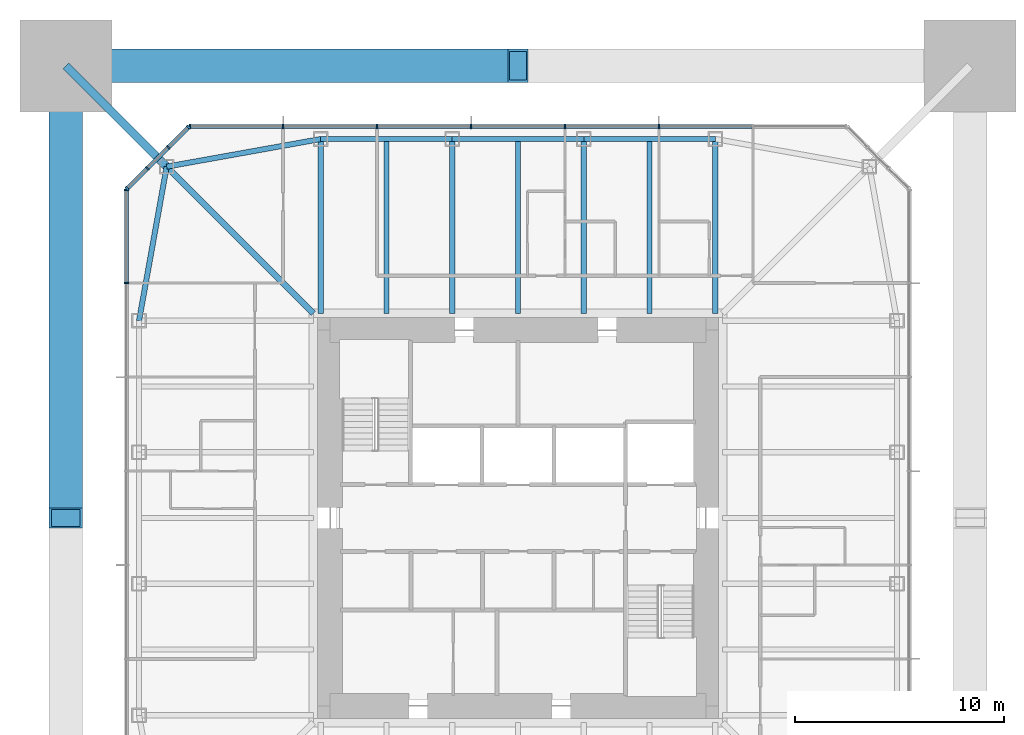
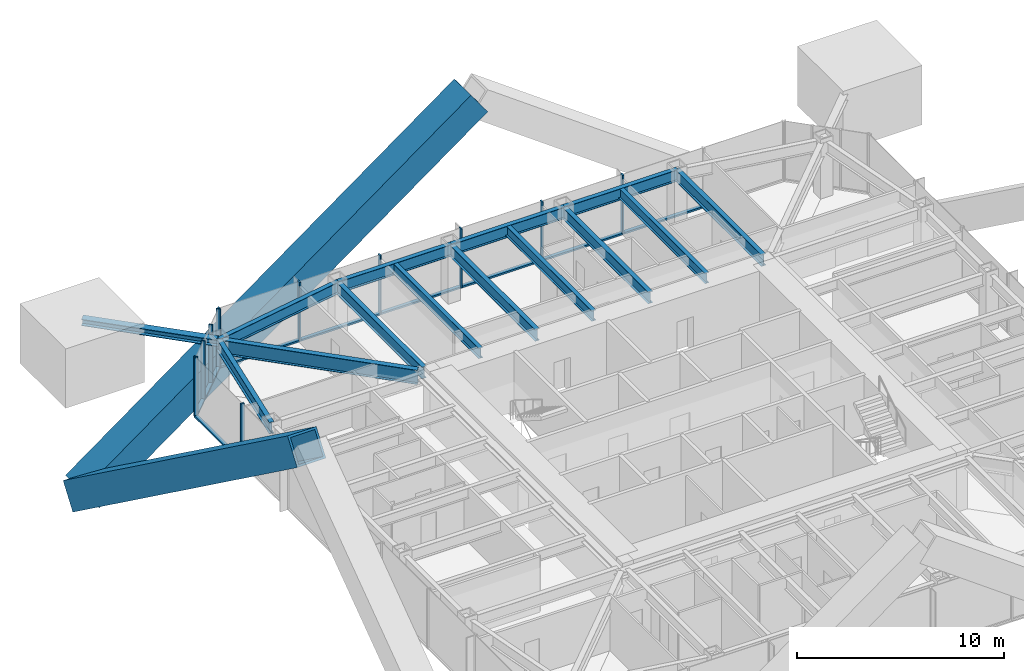
# One storey, part 5 of 13: 25 members, 13 beams, 3 elements without a shape of their own.
"""IFC4 building model written with IfcOpenShell, lengths in metres."""

from ifc_helpers import new_model, si_unit, direction, frame, origin, origin_2d, place, context, subcontext, project, spatial, rectangle, hollow_rectangle, i_section, extrude, material, material_profile, profile_set, type_object, element, aggregate, save


model = new_model("IFC4")

# Units and contexts
model_context = context("Model", 3, precision=1e-05, world=origin(), true_north=direction((0.0, 1.0)))
body_context = subcontext(model_context, "Body", "Model", "MODEL_VIEW")
ifc_project = project(units=[si_unit("LENGTHUNIT", "METRE"), si_unit("AREAUNIT", "SQUARE_METRE"), si_unit("VOLUMEUNIT", "CUBIC_METRE"), si_unit("PLANEANGLEUNIT", "RADIAN"), si_unit("MASSUNIT", "GRAM", prefix="KILO")], contexts=[model_context])

# Site, building, storey
site_placement = place(None, origin())
site = spatial("IfcSite", under=ifc_project, at=site_placement, CompositionType="ELEMENT")
building_placement = place(site_placement, origin())
building = spatial("IfcBuilding", under=site, at=building_placement, Name="Iwan Alto Co-Living Towers", CompositionType="ELEMENT")
storey_placement = place(building_placement, frame((0.0, 0.0, 184.5)))
storey = spatial("IfcBuildingStorey", under=building, at=storey_placement, Name="L50", CompositionType="ELEMENT", Elevation=184.5)

# Curtain wall, members
ifc_material_1 = material(Name="Bronze aluminium unitised frame", Category="aluminium")
curtain_wall_type_1 = type_object("IfcCurtainWallType", Name="CURTAIN WALL CW-A", PredefinedType="NOTDEFINED", material=ifc_material_1)
curtain_wall_1_placement = place(storey_placement, origin())
curtain_wall_1 = element("IfcCurtainWall", 1, at=curtain_wall_1_placement, inside=storey, type_object=curtain_wall_type_1, Name="T1 curtain wall N L50", PredefinedType="NOTDEFINED")
ifc_material_2 = material(Name="Aluminium 6063-T6 bronze anodised", Category="aluminium")
ifc_material_profile_1 = material_profile(ifc_material_2, rectangle(XDim=0.199951171875, YDim=0.080078125, at=origin_2d()), Name="AL 80X200")
ifc_profile_set_1 = profile_set([ifc_material_profile_1], Name="Aluminium 6063-T6 bronze anodised")
member_type_1 = type_object("IfcMemberType", Name="CW-A MULLION 80X200", PredefinedType="MULLION", material=ifc_profile_set_1)
member_1_placement = place(storey_placement, frame((6.75, 18.75, 0.0), z_axis=(0.0, 0.0, 1.0), x_axis=(0.0, -1.0, 0.0)))
member_1 = element("IfcMember", 2, at=member_1_placement, type_object=member_type_1, Name="CW-A mullion 3", PredefinedType="MULLION", context=body_context, shape_type="SweptSolid", body=[
    extrude(rectangle(XDim=0.199951171875, YDim=0.080078125, at=origin_2d()), origin(), (0.0, 0.0, 1.0), 3.5),
])
member_2_placement = place(storey_placement, frame((2.25, 18.75, 0.0), z_axis=(0.0, 0.0, 1.0), x_axis=(0.0, -1.0, 0.0)))
member_2 = element("IfcMember", 3, at=member_2_placement, type_object=member_type_1, Name="CW-A mullion 4", PredefinedType="MULLION", context=body_context, shape_type="SweptSolid", body=[
    extrude(rectangle(XDim=0.199951171875, YDim=0.080078125, at=origin_2d()), origin(), (0.0, 0.0, 1.0), 3.5),
])
member_3_placement = place(storey_placement, frame((-2.25, 18.75, 0.0), z_axis=(0.0, 0.0, 1.0), x_axis=(0.0, -1.0, 0.0)))
member_3 = element("IfcMember", 4, at=member_3_placement, type_object=member_type_1, Name="CW-A mullion 5", PredefinedType="MULLION", context=body_context, shape_type="SweptSolid", body=[
    extrude(rectangle(XDim=0.199951171875, YDim=0.080078125, at=origin_2d()), origin(), (0.0, 0.0, 1.0), 3.5),
])
member_4_placement = place(storey_placement, frame((-6.75, 18.75, 0.0), z_axis=(0.0, 0.0, 1.0), x_axis=(0.0, -1.0, 0.0)))
member_4 = element("IfcMember", 5, at=member_4_placement, type_object=member_type_1, Name="CW-A mullion 6", PredefinedType="MULLION", context=body_context, shape_type="SweptSolid", body=[
    extrude(rectangle(XDim=0.199951171875, YDim=0.080078125, at=origin_2d()), origin(), (0.0, 0.0, 1.0), 3.5),
])
member_5_placement = place(storey_placement, frame((-11.25, 18.75, 0.0), z_axis=(0.0, 0.0, 1.0), x_axis=(0.0, -1.0, 0.0)))
member_5 = element("IfcMember", 6, at=member_5_placement, type_object=member_type_1, Name="CW-A mullion 7", PredefinedType="MULLION", context=body_context, shape_type="SweptSolid", body=[
    extrude(rectangle(XDim=0.199951171875, YDim=0.080078125, at=origin_2d()), origin(), (0.0, 0.0, 1.0), 3.5),
])
member_6_placement = place(storey_placement, frame((-15.7099609375, 18.75, 0.0), z_axis=(0.0, 0.0, 1.0), x_axis=(0.0, -1.0, 0.0)))
member_6 = element("IfcMember", 7, at=member_6_placement, type_object=member_type_1, Name="CW-A mullion 8", PredefinedType="MULLION", context=body_context, shape_type="SweptSolid", body=[
    extrude(rectangle(XDim=0.199951171875, YDim=0.080078125, at=origin_2d()), origin(), (0.0, 0.0, 1.0), 3.5),
])

curtain_wall_2_placement = place(storey_placement, origin())
curtain_wall_2 = element("IfcCurtainWall", 8, at=curtain_wall_2_placement, inside=storey, type_object=curtain_wall_type_1, Name="T1 curtain wall W L50", PredefinedType="NOTDEFINED")
member_7_placement = place(storey_placement, frame((-18.75, 15.7099609375, 0.0), z_axis=(0.0, 0.0, 1.0), x_axis=(1.0, 0.0, 0.0)))
member_7 = element("IfcMember", 9, at=member_7_placement, type_object=member_type_1, Name="CW-A mullion 1", PredefinedType="MULLION", context=body_context, shape_type="SweptSolid", body=[
    extrude(rectangle(XDim=0.199951171875, YDim=0.080078125, at=origin_2d()), origin(), (0.0, 0.0, 1.0), 3.5),
])
member_8_placement = place(storey_placement, frame((-18.75, 11.25, 0.0), z_axis=(0.0, 0.0, 1.0), x_axis=(1.0, 0.0, 0.0)))
member_8 = element("IfcMember", 10, at=member_8_placement, type_object=member_type_1, Name="CW-A mullion 2", PredefinedType="MULLION", context=body_context, shape_type="SweptSolid", body=[
    extrude(rectangle(XDim=0.199951171875, YDim=0.080078125, at=origin_2d()), origin(), (0.0, 0.0, 1.0), 3.5),
])

# Member
ifc_material_3 = material(Name="Aluminium 6063-T6 bronze anodised", Category="aluminium")
ifc_material_profile_2 = material_profile(ifc_material_3, rectangle(XDim=0.199951171875, YDim=0.10009765625, at=origin_2d()), Name="AL 200X100")
ifc_profile_set_2 = profile_set([ifc_material_profile_2], Name="Aluminium 6063-T6 bronze anodised")
member_type_2 = type_object("IfcMemberType", Name="CW-A TRANSOM 200X100", PredefinedType="USERDEFINED", material=ifc_profile_set_2)
member_9_placement = place(storey_placement, frame((11.2099609375, 18.75, 0.050048828125), z_axis=(-1.0, 0.0, 0.0), x_axis=(0.0, -1.0, 0.0)))
member_9 = element("IfcMember", 11, at=member_9_placement, type_object=member_type_2, Name="CW-A transom 2.1", ObjectType="TRANSOM", PredefinedType="USERDEFINED", context=body_context, shape_type="SweptSolid", body=[
    extrude(rectangle(XDim=0.199951171875, YDim=0.10009765625, at=origin_2d()), origin(), (0.0, 0.0, 1.0), 4.419921875),
])

member_10_placement = place(storey_placement, frame((6.7099609375, 18.75, 0.050048828125), z_axis=(-1.0, 0.0, 0.0), x_axis=(0.0, -1.0, 0.0)))
member_10 = element("IfcMember", 12, at=member_10_placement, type_object=member_type_2, Name="CW-A transom 3.1", ObjectType="TRANSOM", PredefinedType="USERDEFINED", context=body_context, shape_type="SweptSolid", body=[
    extrude(rectangle(XDim=0.199951171875, YDim=0.10009765625, at=origin_2d()), origin(), (0.0, 0.0, 1.0), 4.419921875),
])

member_11_placement = place(storey_placement, frame((2.2099609375, 18.75, 0.050048828125), z_axis=(-1.0, 0.0, 0.0), x_axis=(0.0, -1.0, 0.0)))
member_11 = element("IfcMember", 13, at=member_11_placement, type_object=member_type_2, Name="CW-A transom 4.1", ObjectType="TRANSOM", PredefinedType="USERDEFINED", context=body_context, shape_type="SweptSolid", body=[
    extrude(rectangle(XDim=0.199951171875, YDim=0.10009765625, at=origin_2d()), origin(), (0.0, 0.0, 1.0), 4.419921875),
])

member_12_placement = place(storey_placement, frame((-2.2900390625, 18.75, 0.050048828125), z_axis=(-1.0, 0.0, 0.0), x_axis=(0.0, -1.0, 0.0)))
member_12 = element("IfcMember", 14, at=member_12_placement, type_object=member_type_2, Name="CW-A transom 5.1", ObjectType="TRANSOM", PredefinedType="USERDEFINED", context=body_context, shape_type="SweptSolid", body=[
    extrude(rectangle(XDim=0.199951171875, YDim=0.10009765625, at=origin_2d()), origin(), (0.0, 0.0, 1.0), 4.419921875),
])

member_13_placement = place(storey_placement, frame((-6.7900390625, 18.75, 0.050048828125), z_axis=(-1.0, 0.0, 0.0), x_axis=(0.0, -1.0, 0.0)))
member_13 = element("IfcMember", 15, at=member_13_placement, type_object=member_type_2, Name="CW-A transom 6.1", ObjectType="TRANSOM", PredefinedType="USERDEFINED", context=body_context, shape_type="SweptSolid", body=[
    extrude(rectangle(XDim=0.199951171875, YDim=0.10009765625, at=origin_2d()), origin(), (0.0, 0.0, 1.0), 4.419921875),
])

member_14_placement = place(storey_placement, frame((-11.2900390625, 18.75, 0.050048828125), z_axis=(-1.0, 0.0, 0.0), x_axis=(0.0, -1.0, 0.0)))
member_14 = element("IfcMember", 16, at=member_14_placement, type_object=member_type_2, Name="CW-A transom 7.1", ObjectType="TRANSOM", PredefinedType="USERDEFINED", context=body_context, shape_type="SweptSolid", body=[
    extrude(rectangle(XDim=0.199951171875, YDim=0.10009765625, at=origin_2d()), origin(), (0.0, 0.0, 1.0), 4.3798828125),
])

aggregate(curtain_wall_1, [member_1, member_2, member_3, member_4, member_5, member_6, member_9, member_10, member_11, member_12, member_13, member_14])

member_15_placement = place(storey_placement, frame((-18.75, 15.669921875, 0.050048828125), z_axis=(0.0, -1.0, 0.0), x_axis=(1.0, 0.0, 0.0)))
member_15 = element("IfcMember", 17, at=member_15_placement, type_object=member_type_2, Name="CW-A transom 1.1", ObjectType="TRANSOM", PredefinedType="USERDEFINED", context=body_context, shape_type="SweptSolid", body=[
    extrude(rectangle(XDim=0.199951171875, YDim=0.10009765625, at=origin_2d()), origin(), (0.0, 0.0, 1.0), 4.3798828125),
])

aggregate(curtain_wall_2, [member_7, member_8, member_15])

# Curtain wall, members
ifc_material_4 = material(Name="Bronze aluminium unitised frame", Category="aluminium")
curtain_wall_type_2 = type_object("IfcCurtainWallType", Name="CURTAIN WALL CW-B", PredefinedType="NOTDEFINED", material=ifc_material_4)
curtain_wall_3_placement = place(storey_placement, origin())
curtain_wall_3 = element("IfcCurtainWall", 18, at=curtain_wall_3_placement, inside=storey, type_object=curtain_wall_type_2, Name="T1 chamfer curtain wall NW L50", PredefinedType="NOTDEFINED")
ifc_material_5 = material(Name="Aluminium 6063-T6 bronze anodised", Category="aluminium")
ifc_material_profile_3 = material_profile(ifc_material_5, rectangle(XDim=0.199951171875, YDim=0.080078125, at=origin_2d()), Name="AL 80X200")
ifc_profile_set_3 = profile_set([ifc_material_profile_3], Name="Aluminium 6063-T6 bronze anodised")
member_type_3 = type_object("IfcMemberType", Name="CW-B MULLION 80X200", PredefinedType="MULLION", material=ifc_profile_set_3)
member_16_placement = place(storey_placement, frame((-15.7783203125, 18.7216796875, 0.0), z_axis=(0.0, 0.0, 1.0), x_axis=(0.707106781187, -0.707106781187, 0.0)))
member_16 = element("IfcMember", 19, at=member_16_placement, type_object=member_type_3, Name="CW-B mullion 1", PredefinedType="MULLION", context=body_context, shape_type="SweptSolid", body=[
    extrude(rectangle(XDim=0.199951171875, YDim=0.080078125, at=origin_2d()), origin(), (0.0, 0.0, 1.0), 3.5),
])
member_17_placement = place(storey_placement, frame((-16.75, 17.75, 0.0), z_axis=(0.0, 0.0, 1.0), x_axis=(0.707106781187, -0.707106781187, 0.0)))
member_17 = element("IfcMember", 20, at=member_17_placement, type_object=member_type_3, Name="CW-B mullion 2", PredefinedType="MULLION", context=body_context, shape_type="SweptSolid", body=[
    extrude(rectangle(XDim=0.199951171875, YDim=0.080078125, at=origin_2d()), origin(), (0.0, 0.0, 1.0), 3.5),
])
member_18_placement = place(storey_placement, frame((-17.75, 16.75, 0.0), z_axis=(0.0, 0.0, 1.0), x_axis=(0.707106781187, -0.707106781187, 0.0)))
member_18 = element("IfcMember", 21, at=member_18_placement, type_object=member_type_3, Name="CW-B mullion 3", PredefinedType="MULLION", context=body_context, shape_type="SweptSolid", body=[
    extrude(rectangle(XDim=0.199951171875, YDim=0.080078125, at=origin_2d()), origin(), (0.0, 0.0, 1.0), 3.5),
])
member_19_placement = place(storey_placement, frame((-18.7216796875, 15.7783203125, 0.0), z_axis=(0.0, 0.0, 1.0), x_axis=(0.707106781187, -0.707106781187, 0.0)))
member_19 = element("IfcMember", 22, at=member_19_placement, type_object=member_type_3, Name="CW-B mullion 4", PredefinedType="MULLION", context=body_context, shape_type="SweptSolid", body=[
    extrude(rectangle(XDim=0.199951171875, YDim=0.080078125, at=origin_2d()), origin(), (0.0, 0.0, 1.0), 3.5),
])
ifc_material_6 = material(Name="Aluminium 6063-T6 bronze anodised", Category="aluminium")
ifc_material_profile_4 = material_profile(ifc_material_6, rectangle(XDim=0.199951171875, YDim=0.10009765625, at=origin_2d()), Name="AL 200X100")
ifc_profile_set_4 = profile_set([ifc_material_profile_4], Name="Aluminium 6063-T6 bronze anodised")
member_type_4 = type_object("IfcMemberType", Name="CW-B TRANSOM 200X100", PredefinedType="USERDEFINED", material=ifc_profile_set_4)
member_20_placement = place(storey_placement, frame((-15.806640625, 18.693359375, 0.050048828125), z_axis=(-0.707106781187, -0.707106781187, 0.0), x_axis=(0.707106781187, -0.707106781187, 0.0)))
member_20 = element("IfcMember", 23, at=member_20_placement, type_object=member_type_4, Name="CW-B transom 1.1", ObjectType="TRANSOM", PredefinedType="USERDEFINED", context=body_context, shape_type="SweptSolid", body=[
    extrude(rectangle(XDim=0.199951171875, YDim=0.10009765625, at=origin_2d()), origin(), (0.0, 0.0, 1.0), 1.2939453125),
])
member_21_placement = place(storey_placement, frame((-16.7783203125, 17.7216796875, 0.050048828125), z_axis=(-0.707106781187, -0.707106781187, 0.0), x_axis=(0.707106781187, -0.707106781187, 0.0)))
member_21 = element("IfcMember", 24, at=member_21_placement, type_object=member_type_4, Name="CW-B transom 2.1", ObjectType="TRANSOM", PredefinedType="USERDEFINED", context=body_context, shape_type="SweptSolid", body=[
    extrude(rectangle(XDim=0.199951171875, YDim=0.10009765625, at=origin_2d()), origin(), (0.0, 0.0, 1.0), 1.334228515625),
])
member_22_placement = place(storey_placement, frame((-17.7783203125, 16.7216796875, 0.050048828125), z_axis=(-0.707106781187, -0.707106781187, 0.0), x_axis=(0.707106781187, -0.707106781187, 0.0)))
member_22 = element("IfcMember", 25, at=member_22_placement, type_object=member_type_4, Name="CW-B transom 3.1", ObjectType="TRANSOM", PredefinedType="USERDEFINED", context=body_context, shape_type="SweptSolid", body=[
    extrude(rectangle(XDim=0.199951171875, YDim=0.10009765625, at=origin_2d()), origin(), (0.0, 0.0, 1.0), 1.2939453125),
])
aggregate(curtain_wall_3, [member_16, member_17, member_18, member_19, member_20, member_21, member_22])

# Beams
ifc_material_7 = material(Name="Steel ASTM A992 Gr 50", Category="steel")
ifc_material_profile_5 = material_profile(ifc_material_7, i_section(OverallWidth=0.2919921875, OverallDepth=0.8408203125, WebThickness=0.0146484375, FlangeThickness=0.021728515625, at=origin_2d()), Name="W33X130")
ifc_profile_set_5 = profile_set([ifc_material_profile_5], Name="Steel ASTM A992 Gr 50")
beam_type_1 = type_object("IfcBeamType", Name="T1 CORNER GIRDER W33X130", PredefinedType="BEAM", material=ifc_profile_set_5)
beam_1_placement = place(storey_placement, frame((-16.82568359375, 16.82568359375, 2.849609375), z_axis=(0.707106781187, -0.707106781187, 0.0), x_axis=(0.707106781187, 0.707106781187, 0.0)))
element("IfcBeam", 26, at=beam_1_placement, inside=storey, type_object=beam_type_1, Name="T1 corner girder CNW L51", PredefinedType="BEAM", context=body_context, shape_type="SweptSolid", body=[
    extrude(i_section(OverallWidth=0.2919921875, OverallDepth=0.8408203125, WebThickness=0.0146484375, FlangeThickness=0.021728515625, at=origin_2d()), origin(), (0.0, 0.0, 1.0), 9.936767578125),
])
ifc_material_8 = material(Name="Steel ASTM A992 Gr 50", Category="steel")
ifc_material_profile_6 = material_profile(ifc_material_8, i_section(OverallWidth=0.25390625, OverallDepth=0.683349609375, WebThickness=0.012451171875, FlangeThickness=0.018798828125, at=origin_2d()), Name="W27X94")
ifc_profile_set_6 = profile_set([ifc_material_profile_6], Name="Steel ASTM A992 Gr 50")
beam_type_2 = type_object("IfcBeamType", Name="T1 EDGE BEAM W27X94", PredefinedType="BEAM", material=ifc_profile_set_6)
beam_2_placement = place(storey_placement, frame((9.449951171875, 18.14990234375, 2.928466796875), z_axis=(-1.0, 0.0, 0.0), x_axis=(0.0, -1.0, 0.0)))
element("IfcBeam", 27, at=beam_2_placement, inside=storey, type_object=beam_type_2, Name="T1 edge beam N1 L51", PredefinedType="BEAM", context=body_context, shape_type="SweptSolid", body=[
    extrude(i_section(OverallWidth=0.25390625, OverallDepth=0.683349609375, WebThickness=0.012451171875, FlangeThickness=0.018798828125, at=origin_2d()), origin(), (0.0, 0.0, 1.0), 6.300048828125),
])
beam_3_placement = place(storey_placement, frame((3.14990234375, 18.14990234375, 2.928466796875), z_axis=(-1.0, 0.0, 0.0), x_axis=(0.0, -1.0, 0.0)))
element("IfcBeam", 28, at=beam_3_placement, inside=storey, type_object=beam_type_2, Name="T1 edge beam N2 L51", PredefinedType="BEAM", context=body_context, shape_type="SweptSolid", body=[
    extrude(i_section(OverallWidth=0.25390625, OverallDepth=0.683349609375, WebThickness=0.012451171875, FlangeThickness=0.018798828125, at=origin_2d()), origin(), (0.0, 0.0, 1.0), 6.2998046875),
])
beam_4_placement = place(storey_placement, frame((-3.14990234375, 18.14990234375, 2.928466796875), z_axis=(-1.0, 0.0, 0.0), x_axis=(0.0, -1.0, 0.0)))
element("IfcBeam", 29, at=beam_4_placement, inside=storey, type_object=beam_type_2, Name="T1 edge beam N3 L51", PredefinedType="BEAM", context=body_context, shape_type="SweptSolid", body=[
    extrude(i_section(OverallWidth=0.25390625, OverallDepth=0.683349609375, WebThickness=0.012451171875, FlangeThickness=0.018798828125, at=origin_2d()), origin(), (0.0, 0.0, 1.0), 6.300048828125),
])
for number, where, z_axis, x_axis, name in (
    (30, (-9.449951171875, 18.14990234375, 2.928466796875), (-0.98426263553, -0.17671181143, 0.0), (0.17671181143, -0.98426263553, 0.0), "T1 edge beam N4 L51"),
    (31, (-16.82568359375, 16.82568359375, 2.928466796875), (-0.17671181143, -0.98426263553, 0.0), (0.98426263553, -0.17671181143, 0.0), "T1 edge beam CNW L51"),
):
    element("IfcBeam", number, at=place(storey_placement, frame(where, z_axis=z_axis, x_axis=x_axis)), inside=storey, type_object=beam_type_2, Name=name, PredefinedType="BEAM", context=body_context, shape_type="SweptSolid", body=[
        extrude(i_section(OverallWidth=0.25390625, OverallDepth=0.683349609375, WebThickness=0.012451171875, FlangeThickness=0.018798828125, at=origin_2d()), origin(), (0.0, 0.0, 1.0), 7.49365234375),
    ])

# Members
ifc_material_9 = material(Name="Steel ASTM A572 Gr 42", Category="steel")
ifc_material_profile_7 = material_profile(ifc_material_9, hollow_rectangle(XDim=1.60009765625, YDim=1.60009765625, WallThickness=0.1201171875, at=origin_2d()), Name="BOX 1600X1600X120")
ifc_profile_set_7 = profile_set([ifc_material_profile_7], Name="Steel ASTM A572 Gr 42")
member_type_5 = type_object("IfcMemberType", Name="T1 MEGA BRACE BOX 1600X1600X120", PredefinedType="BRACE", material=ifc_profile_set_7)
for number, where, z_axis, x_axis, name in (
    (32, (-21.64990234375, 21.64990234375, -7.0), (0.808654054795, 0.0, 0.588284471717), (0.0, 1.0, 0.0), "T1 mega brace Z3B N 2 lower"),
    (33, (-21.64990234375, 21.64990234375, -7.0), (0.0, -0.808654054795, 0.588284471717), (1.0, 0.0, 0.0), "T1 mega brace Z3B W 1 lower"),
):
    element("IfcMember", number, at=place(storey_placement, frame(where, z_axis=z_axis, x_axis=x_axis)), inside=storey, type_object=member_type_5, Name=name, PredefinedType="BRACE", context=body_context, shape_type="SweptSolid", body=[
        extrude(hollow_rectangle(XDim=1.60009765625, YDim=1.60009765625, WallThickness=0.1201171875, at=origin_2d()), origin(), (0.0, 0.0, 1.0), 26.772705078125),
    ])
ifc_material_10 = material(Name="Steel ASTM A992 Gr 50", Category="steel")
ifc_material_profile_8 = material_profile(ifc_material_10, i_section(OverallWidth=0.393798828125, OverallDepth=0.3759765625, WebThickness=0.017333984375, FlangeThickness=0.027587890625, at=origin_2d()), Name="W14X145")
ifc_profile_set_8 = profile_set([ifc_material_profile_8], Name="Steel ASTM A992 Gr 50")
member_type_6 = type_object("IfcMemberType", Name="T1 MEGA COLUMN FLOOR TIE W14X145", PredefinedType="STRUT", material=ifc_profile_set_8)
member_23_placement = place(storey_placement, frame((-21.64990234375, 21.64990234375, 3.08203125), z_axis=(0.707106781187, -0.707106781187, 0.0), x_axis=(0.707106781187, 0.707106781187, 0.0)))
element("IfcMember", 34, at=member_23_placement, inside=storey, type_object=member_type_6, Name="T1 mega column floor tie NW L51", PredefinedType="STRUT", context=body_context, shape_type="SweptSolid", body=[
    extrude(i_section(OverallWidth=0.393798828125, OverallDepth=0.3759765625, WebThickness=0.017333984375, FlangeThickness=0.027587890625, at=origin_2d()), origin(), (0.0, 0.0, 1.0), 6.822509765625),
])

# Beams
ifc_material_11 = material(Name="Steel ASTM A992 Gr 50", Category="steel")
ifc_material_profile_9 = material_profile(ifc_material_11, i_section(OverallWidth=0.25390625, OverallDepth=0.683349609375, WebThickness=0.012451171875, FlangeThickness=0.018798828125, at=origin_2d()), Name="W27X94")
ifc_profile_set_9 = profile_set([ifc_material_profile_9], Name="Steel ASTM A992 Gr 50")
beam_type_3 = type_object("IfcBeamType", Name="T1 RADIAL BEAM W27X94", PredefinedType="BEAM", material=ifc_profile_set_9)
for number, where, z_axis, x_axis, name in (
    (35, (9.449951171875, 18.14990234375, 2.928466796875), (0.0, -1.0, 0.0), (1.0, 0.0, 0.0), "T1 radial beam N1 L51"),
    (36, (3.14990234375, 18.14990234375, 2.928466796875), (0.0, -1.0, 0.0), (1.0, 0.0, 0.0), "T1 radial beam N2 L51"),
    (37, (-3.14990234375, 18.14990234375, 2.928466796875), (0.0, -1.0, 0.0), (1.0, 0.0, 0.0), "T1 radial beam N3 L51"),
    (38, (-9.449951171875, 18.14990234375, 2.928466796875), (0.0, -1.0, 0.0), (1.0, 0.0, 0.0), "T1 radial beam N4 L51"),
):
    element("IfcBeam", number, at=place(storey_placement, frame(where, z_axis=z_axis, x_axis=x_axis)), inside=storey, type_object=beam_type_3, Name=name, PredefinedType="BEAM", context=body_context, shape_type="SweptSolid", body=[
        extrude(i_section(OverallWidth=0.25390625, OverallDepth=0.683349609375, WebThickness=0.012451171875, FlangeThickness=0.018798828125, at=origin_2d()), origin(), (0.0, 0.0, 1.0), 8.3505859375),
    ])
ifc_material_12 = material(Name="Steel ASTM A992 Gr 50", Category="steel")
ifc_material_profile_10 = material_profile(ifc_material_12, i_section(OverallWidth=0.228271484375, OverallDepth=0.607177734375, WebThickness=0.01123046875, FlangeThickness=0.017333984375, at=origin_2d()), Name="W24X76")
ifc_profile_set_10 = profile_set([ifc_material_profile_10], Name="Steel ASTM A992 Gr 50")
beam_type_4 = type_object("IfcBeamType", Name="T1 SECONDARY BEAM W24X76", PredefinedType="JOIST", material=ifc_profile_set_10)
for number, where, z_axis, x_axis, name in (
    (39, (6.300048828125, 18.14990234375, 2.966552734375), (0.0, -1.0, 0.0), (1.0, 0.0, 0.0), "T1 secondary beam N1 L51"),
    (40, (0.0, 18.14990234375, 2.966552734375), (0.0, -1.0, 0.0), (1.0, 0.0, 0.0), "T1 secondary beam N2 L51"),
    (41, (-6.300048828125, 18.14990234375, 2.966552734375), (0.0, -1.0, 0.0), (1.0, 0.0, 0.0), "T1 secondary beam N3 L51"),
):
    element("IfcBeam", number, at=place(storey_placement, frame(where, z_axis=z_axis, x_axis=x_axis)), inside=storey, type_object=beam_type_4, Name=name, PredefinedType="JOIST", context=body_context, shape_type="SweptSolid", body=[
        extrude(i_section(OverallWidth=0.228271484375, OverallDepth=0.607177734375, WebThickness=0.01123046875, FlangeThickness=0.017333984375, at=origin_2d()), origin(), (0.0, 0.0, 1.0), 8.3505859375),
    ])

save(model, "model.ifc")
